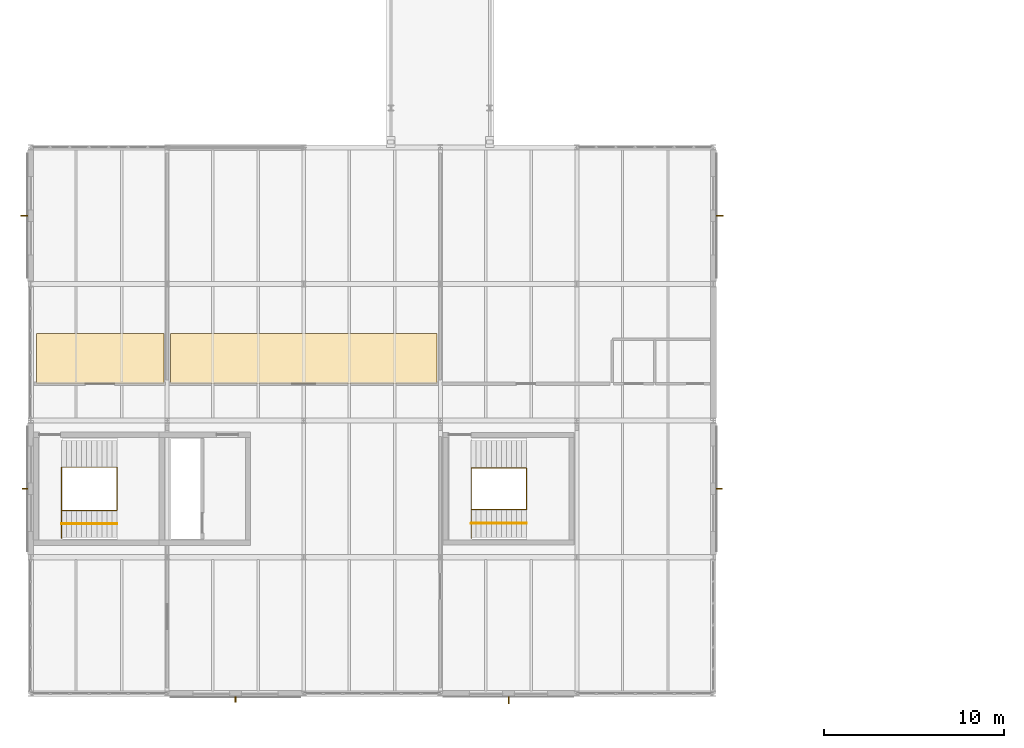
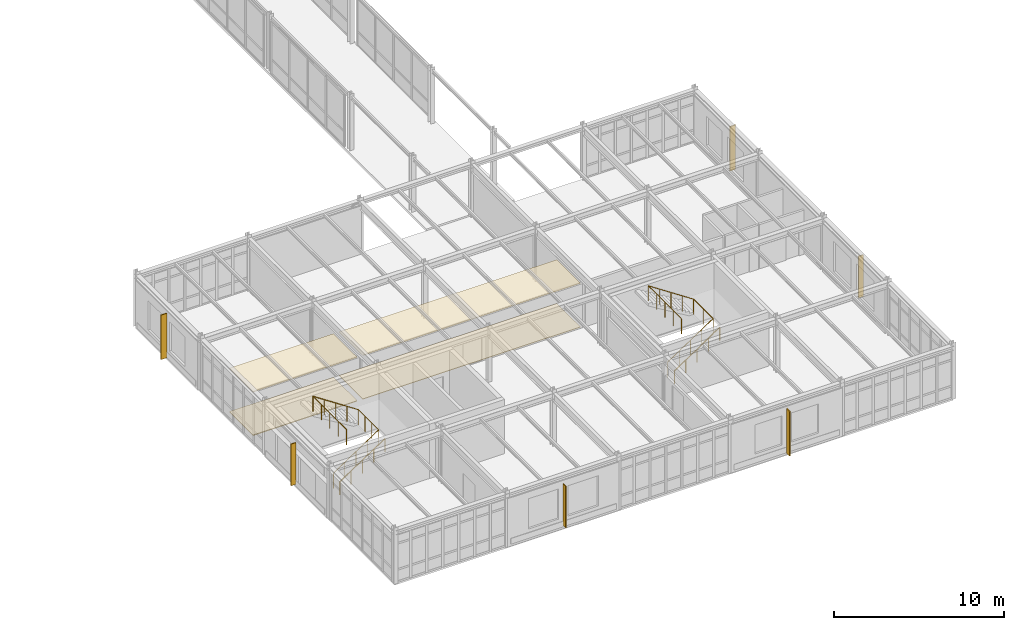
# One storey, part 154 of 165: 6 shading devices, 4 coverings, 4 railings.
"""IFC4 building model written with IfcOpenShell, lengths in metres."""

from ifc_helpers import new_model, si_unit, direction, frame, origin, origin_2d, place, context, subcontext, project, spatial, polyline, rectangle, circle, outline, extrude, material, layer, layer_set, type_object, element, save


model = new_model("IFC4")

# Units and contexts
model_context = context("Model", 3, precision=1e-05, world=origin(), true_north=direction((0.0, 1.0)))
body_context = subcontext(model_context, "Body", "Model", "MODEL_VIEW")
ifc_project = project(units=[si_unit("LENGTHUNIT", "METRE"), si_unit("AREAUNIT", "SQUARE_METRE"), si_unit("VOLUMEUNIT", "CUBIC_METRE"), si_unit("PLANEANGLEUNIT", "RADIAN"), si_unit("MASSUNIT", "GRAM", prefix="KILO")], contexts=[model_context])

# Site, building, storey
site_placement = place(None, origin())
site = spatial("IfcSite", under=ifc_project, at=site_placement, CompositionType="ELEMENT")
building_placement = place(site_placement, origin())
building = spatial("IfcBuilding", under=site, at=building_placement, Name="Montecoro Central Library", CompositionType="ELEMENT")
storey_placement = place(building_placement, frame((0.0, 0.0, 5.10009765625)))
storey = spatial("IfcBuildingStorey", under=building, at=storey_placement, Name="L01", CompositionType="ELEMENT", Elevation=5.10009765625)

# Coverings
ifc_material_1 = material(Name="Acoustic perforated mineral ceiling")
ifc_layer_1 = layer(ifc_material_1, 0.031982421875)
ifc_layer_set_1 = layer_set([ifc_layer_1], Name="Acoustic perforated mineral ceiling")
covering_type_1 = type_object("IfcCoveringType", Name="COV-CLG-02", PredefinedType="CEILING", material=ifc_layer_set_1)
covering_1_placement = place(storey_placement, frame((0.0, 0.0, 3.14794921875)))
element("IfcCovering", 1, at=covering_1_placement, inside=storey, type_object=covering_type_1, Name="CLG-SP-V3-L01-R2P1", PredefinedType="CEILING", context=body_context, shape_type="SweptSolid", body=[
    extrude(outline(polyline([(12.7900390625, 22.25), (27.610107421875, 22.25), (27.610107421875, 25.050048828125), (12.7900390625, 25.050048828125), (12.7900390625, 22.25)])), origin(), (0.0, 0.0, 1.0), 0.031982421875),
])
ifc_layer_2 = layer(ifc_material_1, 0.048095703125)
ifc_layer_set_2 = layer_set([ifc_layer_2], Name="Acoustic perforated mineral ceiling")
covering_type_2 = type_object("IfcCoveringType", Name="COV-CLG-04", PredefinedType="CEILING", material=ifc_layer_set_2)
covering_2_placement = place(storey_placement, frame((0.0, 0.0, 3.1318359375)))
element("IfcCovering", 2, at=covering_2_placement, inside=storey, type_object=covering_type_2, Name="CLG-SP-V3-L01-R1P1", PredefinedType="CEILING", context=body_context, shape_type="SweptSolid", body=[
    extrude(outline(polyline([(5.320068359375, 22.25), (12.409912109375, 22.25), (12.409912109375, 25.050048828125), (5.320068359375, 25.050048828125), (5.320068359375, 22.25)])), origin(), (0.0, 0.0, 1.0), 0.048095703125),
])
ifc_material_2 = material(Name="Neapolitan brass-inlaid terrazzo flooring")
ifc_layer_3 = layer(ifc_material_2, 0.035888671875)
ifc_layer_set_3 = layer_set([ifc_layer_3], Name="Neapolitan brass-inlaid terrazzo flooring")
covering_type_3 = type_object("IfcCoveringType", Name="COV-FLR-02", PredefinedType="FLOORING", material=ifc_layer_set_3)
covering_3_placement = place(storey_placement, origin())
element("IfcCovering", 3, at=covering_3_placement, inside=storey, type_object=covering_type_3, Name="FLR-SP-V3-L01-R2P1", PredefinedType="FLOORING", context=body_context, shape_type="SweptSolid", body=[
    extrude(outline(polyline([(12.7900390625, 22.25), (27.610107421875, 22.25), (27.610107421875, 25.050048828125), (12.7900390625, 25.050048828125), (12.7900390625, 22.25)])), origin(), (0.0, 0.0, 1.0), 0.035888671875),
])
ifc_layer_4 = layer(ifc_material_2, 0.052001953125)
ifc_layer_set_4 = layer_set([ifc_layer_4], Name="Neapolitan brass-inlaid terrazzo flooring")
covering_type_4 = type_object("IfcCoveringType", Name="COV-FLR-04", PredefinedType="FLOORING", material=ifc_layer_set_4)
covering_4_placement = place(storey_placement, origin())
element("IfcCovering", 4, at=covering_4_placement, inside=storey, type_object=covering_type_4, Name="FLR-SP-V3-L01-R1P1", PredefinedType="FLOORING", context=body_context, shape_type="SweptSolid", body=[
    extrude(outline(polyline([(5.320068359375, 22.25), (12.409912109375, 22.25), (12.409912109375, 25.050048828125), (5.320068359375, 25.050048828125), (5.320068359375, 22.25)])), origin(), (0.0, 0.0, 1.0), 0.052001953125),
])

# Railings
ifc_material_3 = material(Name="Brushed stainless steel and bronze balustrade", Category="steel")
railing_type_1 = type_object("IfcRailingType", Name="GRD-INT-110", PredefinedType="GUARDRAIL", material=ifc_material_3)
railing_1_placement = place(storey_placement, frame((6.719970703125, 15.199951171875, 0.0)))
element("IfcRailing", 5, at=railing_1_placement, inside=storey, type_object=railing_type_1, Name="C4-L01-STR-GRD", PredefinedType="GUARDRAIL", context=body_context, shape_type="SweptSolid", body=[
    extrude(circle(Radius=0.02392578125, at=origin_2d()), frame((0.0, 0.0, 1.09619140625), z_axis=(0.833744305047, 0.0, 0.552150734675), x_axis=(0.0, 1.0, 0.0)), (0.0, 0.0, 1.0), 3.6943359375),
    extrude(circle(Radius=0.02392578125, at=origin_2d()), frame((3.080078125, 0.0, 3.1357421875), z_axis=(0.0, 1.0, 0.0), x_axis=(-1.0, 0.0, 0.0)), (0.0, 0.0, 1.0), 2.400146484375),
    extrude(circle(Radius=0.02392578125, at=origin_2d()), frame((3.080078125, 2.400146484375, 3.1357421875), z_axis=(-0.833713881912, 0.0, 0.552196670677), x_axis=(0.0, -1.0, 0.0)), (0.0, 0.0, 1.0), 3.6943359375),
    extrude(circle(Radius=0.02392578125, at=origin_2d()), frame((0.0, 2.400146484375, 5.17578125), z_axis=(0.0, -1.0, 0.0), x_axis=(1.0, 0.0, 0.0)), (0.0, 0.0, 1.0), 3.9501953125),
    extrude(circle(Radius=0.02099609375, at=origin_2d()), origin(), (0.0, 0.0, 1.0), 1.072021484375),
    extrude(circle(Radius=0.02099609375, at=origin_2d()), frame((0.77001953125, 0.0, 0.510009765625)), (0.0, 0.0, 1.0), 1.072021484375),
    extrude(circle(Radius=0.02099609375, at=origin_2d()), frame((1.5400390625, 0.0, 1.02001953125)), (0.0, 0.0, 1.0), 1.072021484375),
    extrude(circle(Radius=0.02099609375, at=origin_2d()), frame((2.31005859375, 0.0, 1.52978515625)), (0.0, 0.0, 1.0), 1.072021484375),
    extrude(circle(Radius=0.02099609375, at=origin_2d()), frame((3.080078125, 0.0, 2.039794921875)), (0.0, 0.0, 1.0), 1.072021484375),
    extrude(circle(Radius=0.02099609375, at=origin_2d()), frame((3.080078125, 0.800048828125, 2.039794921875)), (0.0, 0.0, 1.0), 1.072021484375),
    extrude(circle(Radius=0.02099609375, at=origin_2d()), frame((3.080078125, 1.60009765625, 2.039794921875)), (0.0, 0.0, 1.0), 1.072021484375),
    extrude(circle(Radius=0.02099609375, at=origin_2d()), frame((3.080078125, 2.400146484375, 2.039794921875)), (0.0, 0.0, 1.0), 1.072021484375),
    extrude(circle(Radius=0.02099609375, at=origin_2d()), frame((2.31005859375, 2.400146484375, 2.5498046875)), (0.0, 0.0, 1.0), 1.072021484375),
    extrude(circle(Radius=0.02099609375, at=origin_2d()), frame((1.5400390625, 2.400146484375, 3.059814453125)), (0.0, 0.0, 1.0), 1.072021484375),
    extrude(circle(Radius=0.02099609375, at=origin_2d()), frame((0.77001953125, 2.400146484375, 3.56982421875)), (0.0, 0.0, 1.0), 1.072021484375),
    extrude(circle(Radius=0.02099609375, at=origin_2d()), frame((0.0, 2.400146484375, 4.079833984375)), (0.0, 0.0, 1.0), 1.072021484375),
    extrude(circle(Radius=0.02099609375, at=origin_2d()), frame((0.0, 1.41259765625, 4.079833984375)), (0.0, 0.0, 1.0), 1.072021484375),
    extrude(circle(Radius=0.02099609375, at=origin_2d()), frame((0.0, 0.425048828125, 4.079833984375)), (0.0, 0.0, 1.0), 1.072021484375),
    extrude(circle(Radius=0.02099609375, at=origin_2d()), frame((0.0, -0.5625, 4.079833984375)), (0.0, 0.0, 1.0), 1.072021484375),
    extrude(circle(Radius=0.02099609375, at=origin_2d()), frame((0.0, -1.550048828125, 4.079833984375)), (0.0, 0.0, 1.0), 1.072021484375),
])
railing_2_placement = place(storey_placement, frame((29.52001953125, 15.25, 0.0)))
element("IfcRailing", 6, at=railing_2_placement, inside=storey, type_object=railing_type_1, Name="C11-L01-STR-GRD", PredefinedType="GUARDRAIL", context=body_context, shape_type="SweptSolid", body=[
    extrude(circle(Radius=0.02392578125, at=origin_2d()), frame((0.0, 0.0, 1.09619140625), z_axis=(0.833744305047, 0.0, 0.552150734675), x_axis=(0.0, 1.0, 0.0)), (0.0, 0.0, 1.0), 3.6943359375),
    extrude(circle(Radius=0.02392578125, at=origin_2d()), frame((3.080078125, 0.0, 3.1357421875), z_axis=(0.0, 1.0, 0.0), x_axis=(-1.0, 0.0, 0.0)), (0.0, 0.0, 1.0), 2.300048828125),
    extrude(circle(Radius=0.02392578125, at=origin_2d()), frame((3.080078125, 2.300048828125, 3.1357421875), z_axis=(-0.833713881912, 0.0, 0.552196670677), x_axis=(0.0, -1.0, 0.0)), (0.0, 0.0, 1.0), 3.6943359375),
    extrude(circle(Radius=0.02392578125, at=origin_2d()), frame((0.0, 2.300048828125, 5.17578125), z_axis=(0.0, -1.0, 0.0), x_axis=(1.0, 0.0, 0.0)), (0.0, 0.0, 1.0), 3.900146484375),
    extrude(circle(Radius=0.02099609375, at=origin_2d()), origin(), (0.0, 0.0, 1.0), 1.072021484375),
    extrude(circle(Radius=0.02099609375, at=origin_2d()), frame((0.77001953125, 0.0, 0.510009765625)), (0.0, 0.0, 1.0), 1.072021484375),
    extrude(circle(Radius=0.02099609375, at=origin_2d()), frame((1.5400390625, 0.0, 1.02001953125)), (0.0, 0.0, 1.0), 1.072021484375),
    extrude(circle(Radius=0.02099609375, at=origin_2d()), frame((2.31005859375, 0.0, 1.52978515625)), (0.0, 0.0, 1.0), 1.072021484375),
    extrude(circle(Radius=0.02099609375, at=origin_2d()), frame((3.080078125, 0.0, 2.039794921875)), (0.0, 0.0, 1.0), 1.072021484375),
    extrude(circle(Radius=0.02099609375, at=origin_2d()), frame((3.080078125, 1.14990234375, 2.039794921875)), (0.0, 0.0, 1.0), 1.072021484375),
    extrude(circle(Radius=0.02099609375, at=origin_2d()), frame((3.080078125, 2.300048828125, 2.039794921875)), (0.0, 0.0, 1.0), 1.072021484375),
    extrude(circle(Radius=0.02099609375, at=origin_2d()), frame((2.31005859375, 2.300048828125, 2.5498046875)), (0.0, 0.0, 1.0), 1.072021484375),
    extrude(circle(Radius=0.02099609375, at=origin_2d()), frame((1.5400390625, 2.300048828125, 3.059814453125)), (0.0, 0.0, 1.0), 1.072021484375),
    extrude(circle(Radius=0.02099609375, at=origin_2d()), frame((0.77001953125, 2.300048828125, 3.56982421875)), (0.0, 0.0, 1.0), 1.072021484375),
    extrude(circle(Radius=0.02099609375, at=origin_2d()), frame((0.0, 2.300048828125, 4.079833984375)), (0.0, 0.0, 1.0), 1.072021484375),
    extrude(circle(Radius=0.02099609375, at=origin_2d()), frame((0.0, 1.324951171875, 4.079833984375)), (0.0, 0.0, 1.0), 1.072021484375),
    extrude(circle(Radius=0.02099609375, at=origin_2d()), frame((0.0, 0.35009765625, 4.079833984375)), (0.0, 0.0, 1.0), 1.072021484375),
    extrude(circle(Radius=0.02099609375, at=origin_2d()), frame((0.0, -0.625, 4.079833984375)), (0.0, 0.0, 1.0), 1.072021484375),
    extrude(circle(Radius=0.02099609375, at=origin_2d()), frame((0.0, -1.60009765625, 4.079833984375)), (0.0, 0.0, 1.0), 1.072021484375),
])
ifc_material_4 = material(Name="Brushed architectural bronze handrail")
railing_type_2 = type_object("IfcRailingType", Name="HRL-STR-095", PredefinedType="HANDRAIL", material=ifc_material_4)
for number, where, name in (
    (7, (6.719970703125, 14.449951171875, 0.0), "C4-L01-STR-HR1"),
    (8, (29.52001953125, 14.47509765625, 0.0), "C11-L01-STR-HR1"),
):
    element("IfcRailing", number, at=place(storey_placement, frame(where)), inside=storey, type_object=railing_type_2, Name=name, PredefinedType="HANDRAIL", context=body_context, shape_type="SweptSolid", body=[
        extrude(circle(Radius=0.02392578125, at=origin_2d()), frame((0.0, 0.0, 0.92578125), z_axis=(0.833744305047, 0.0, 0.552150734675), x_axis=(0.0, 1.0, 0.0)), (0.0, 0.0, 1.0), 3.6943359375),
        extrude(circle(Radius=0.02099609375, at=origin_2d()), origin(), (0.0, 0.0, 1.0), 0.90185546875),
        extrude(circle(Radius=0.02099609375, at=origin_2d()), frame((0.77001953125, 0.0, 0.510009765625)), (0.0, 0.0, 1.0), 0.90185546875),
        extrude(circle(Radius=0.02099609375, at=origin_2d()), frame((1.5400390625, 0.0, 1.02001953125)), (0.0, 0.0, 1.0), 0.90185546875),
        extrude(circle(Radius=0.02099609375, at=origin_2d()), frame((2.31005859375, 0.0, 1.52978515625)), (0.0, 0.0, 1.0), 0.90185546875),
        extrude(circle(Radius=0.02099609375, at=origin_2d()), frame((3.080078125, 0.0, 2.039794921875)), (0.0, 0.0, 1.0), 0.90185546875),
    ])

# Shading devices
ifc_material_5 = material(Name="Architectural bronze solar fin", Category="aluminium")
shading_device_type_1 = type_object("IfcShadingDeviceType", Name="SHD-FIN-02", PredefinedType="USERDEFINED", material=ifc_material_5)
for number, where, z_axis, x_axis, name in (
    (9, (16.39990234375, 4.679443359375, 0.239990234375), (0.0, 0.0, 1.0), (1.0, 0.0, 0.0), "V3-L01-FIN-S1"),
    (10, (43.320556640625, 16.39990234375, 0.239990234375), (0.0, 0.0, 1.0), (0.0, 1.0, 0.0), "V3-L01-FIN-E1"),
    (11, (4.679443359375, 16.39990234375, 0.239990234375), (0.0, 0.0, 1.0), (0.0, -1.0, 0.0), "V3-L01-FIN-W1"),
):
    element("IfcShadingDevice", number, at=place(storey_placement, frame(where, z_axis=z_axis, x_axis=x_axis)), inside=storey, type_object=shading_device_type_1, Name=name, ObjectType="SOLAR FIN", PredefinedType="USERDEFINED", context=body_context, shape_type="SweptSolid", body=[
        extrude(rectangle(XDim=0.06005859375, YDim=0.320068359375, at=origin_2d()), origin(), (0.0, 0.0, 1.0), 3.0),
    ])
shading_device_type_2 = type_object("IfcShadingDeviceType", Name="SHD-FIN-04", PredefinedType="USERDEFINED", material=ifc_material_5)
for number, where, z_axis, x_axis, name in (
    (12, (31.60009765625, 4.639404296875, 0.14013671875), (0.0, 0.0, 1.0), (1.0, 0.0, 0.0), "V3-L01-FIN-S3"),
    (13, (43.360595703125, 31.60009765625, 0.14013671875), (0.0, 0.0, 1.0), (0.0, 1.0, 0.0), "V3-L01-FIN-E3"),
    (14, (4.639404296875, 31.60009765625, 0.14013671875), (0.0, 0.0, 1.0), (0.0, -1.0, 0.0), "V3-L01-FIN-W3"),
):
    element("IfcShadingDevice", number, at=place(storey_placement, frame(where, z_axis=z_axis, x_axis=x_axis)), inside=storey, type_object=shading_device_type_2, Name=name, ObjectType="SOLAR FIN", PredefinedType="USERDEFINED", context=body_context, shape_type="SweptSolid", body=[
        extrude(rectangle(XDim=0.06005859375, YDim=0.39990234375, at=origin_2d()), origin(), (0.0, 0.0, 1.0), 3.199951171875),
    ])

save(model, "model.ifc")
